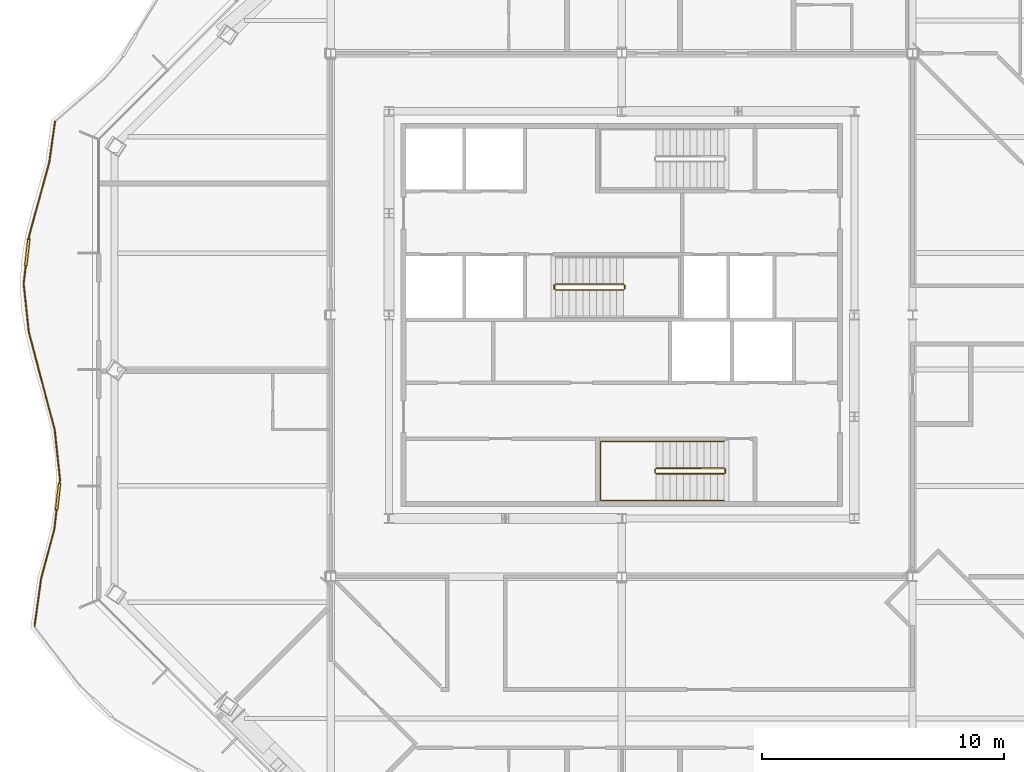
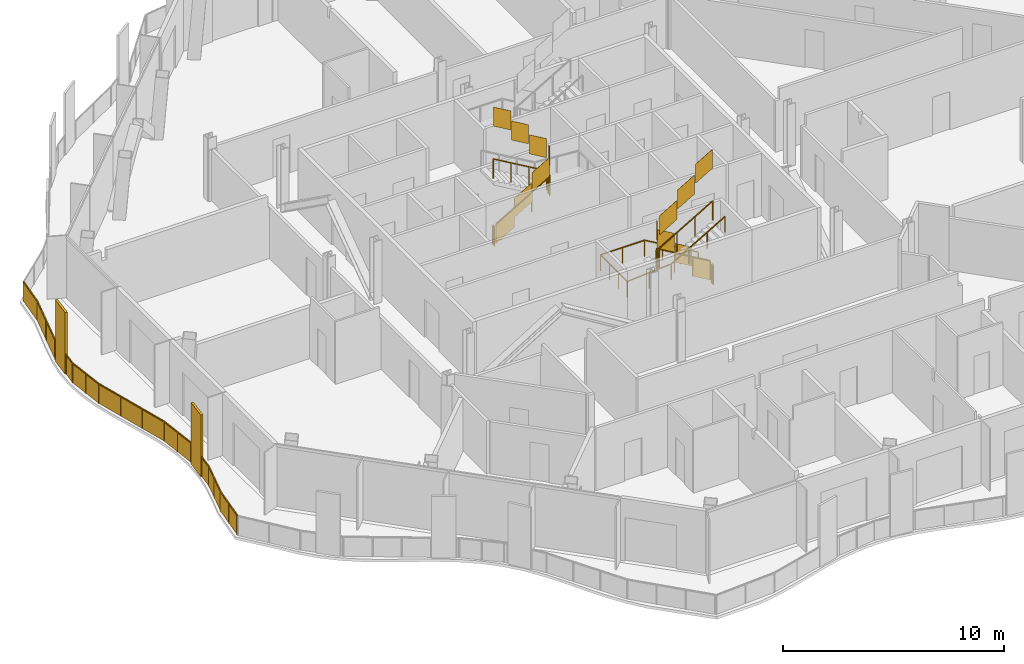
# One storey, part 16 of 19: 6 railings.
"""IFC4 building model written with IfcOpenShell, lengths in metres."""

from ifc_helpers import new_model, si_unit, direction, frame, origin, origin_2d, place, context, subcontext, project, spatial, polyline, rectangle, outline, extrude, material, type_object, element, save


model = new_model("IFC4")

# Units and contexts
model_context = context("Model", 3, precision=1e-05, world=origin(), true_north=direction((0.0, 1.0)))
body_context = subcontext(model_context, "Body", "Model", "MODEL_VIEW")
ifc_project = project(units=[si_unit("LENGTHUNIT", "METRE"), si_unit("AREAUNIT", "SQUARE_METRE"), si_unit("VOLUMEUNIT", "CUBIC_METRE"), si_unit("PLANEANGLEUNIT", "RADIAN"), si_unit("MASSUNIT", "GRAM", prefix="KILO")], contexts=[model_context])

# Site, building, storey
site_placement = place(None, origin())
site = spatial("IfcSite", under=ifc_project, at=site_placement, CompositionType="ELEMENT")
building_placement = place(site_placement, origin())
building = spatial("IfcBuilding", under=site, at=building_placement, Name="Cairn Pilgrim Tower", CompositionType="ELEMENT")
storey_placement = place(building_placement, frame((0.0, 0.0, 197.39990234375)))
storey = spatial("IfcBuildingStorey", under=building, at=storey_placement, Name="L50", CompositionType="ELEMENT", Elevation=197.39990234375)

# Railings
ifc_material_1 = material(Name="Bronze anodised aluminium rail, posts and fin screens with laminated glass infill", Category="aluminium")
railing_type_1 = type_object("IfcRailingType", Name="BALCONY GUARD WITH FIN SCREENS", PredefinedType="GUARDRAIL", material=ifc_material_1)
railing_1_placement = place(storey_placement, frame((-16.182373046875, 10.376953125, 0.0)))
element("IfcRailing", 1, at=railing_1_placement, inside=storey, type_object=railing_type_1, Name="Balcony guard BGF-7 with fin screens", PredefinedType="GUARDRAIL", context=body_context, shape_type="SweptSolid", body=[
    extrude(rectangle(XDim=0.050048828125, YDim=0.050048828125, at=origin_2d()), frame((0.0, 0.0, 1.0751953125), z_axis=(-0.138172880058, -0.990408125581, 0.0), x_axis=(0.990408125581, -0.138172880058, 0.0)), (0.0, 0.0, 1.0), 1.683837890625),
    extrude(rectangle(XDim=0.050048828125, YDim=0.050048828125, at=origin_2d()), frame((-0.232666015625, -1.667724609375, 1.0751953125), z_axis=(-0.263945951233, -0.964537471967, 0.0), x_axis=(0.964537471967, -0.263945951233, 0.0)), (0.0, 0.0, 1.0), 3.14111328125),
    extrude(rectangle(XDim=1.10009765625, YDim=0.110107421875, at=origin_2d()), frame((-1.141845703125, -5.39306640625, 0.0), z_axis=(0.0, 0.0, 1.0), x_axis=(-0.114504022567, -0.993422784526, 0.0)), (0.0, 0.0, 1.0), 3.39990234375),
    extrude(rectangle(XDim=0.050048828125, YDim=0.050048828125, at=origin_2d()), frame((-1.061767578125, -4.697509765625, 1.0751953125), z_axis=(-0.114504022567, -0.993422784526, 0.0), x_axis=(0.993422784526, -0.114504022567, 0.0)), (0.0, 0.0, 1.0), 0.150146484375),
    extrude(rectangle(XDim=0.050048828125, YDim=0.050048828125, at=origin_2d()), frame((-1.204833984375, -5.939453125, 1.0751953125), z_axis=(-0.114504022567, -0.993422784526, 0.0), x_axis=(0.993422784526, -0.114504022567, 0.0)), (0.0, 0.0, 1.0), 0.75634765625),
    extrude(rectangle(XDim=0.050048828125, YDim=0.050048828125, at=origin_2d()), frame((-1.29150390625, -6.690673828125, 1.0751953125), z_axis=(0.105724553407, -0.994395453935, 0.0), x_axis=(0.994395453935, 0.105724553407, 0.0)), (0.0, 0.0, 1.0), 2.00439453125),
    extrude(rectangle(XDim=0.050048828125, YDim=0.050048828125, at=origin_2d()), frame((-1.07958984375, -8.683837890625, 1.0751953125), z_axis=(0.255743304521, -0.966744724419, 0.0), x_axis=(0.966744724419, 0.255743304521, 0.0)), (0.0, 0.0, 1.0), 4.181396484375),
    extrude(rectangle(XDim=0.050048828125, YDim=0.050048828125, at=origin_2d()), frame((-0.01025390625, -12.72607421875, 1.0751953125), z_axis=(0.106047798469, -0.994361033247, 0.0), x_axis=(0.994361033247, 0.106047798469, 0.0)), (0.0, 0.0, 1.0), 2.060546875),
    extrude(rectangle(XDim=1.10009765625, YDim=0.110107421875, at=origin_2d()), frame((0.128173828125, -15.47021484375, 0.0), z_axis=(0.0, 0.0, 1.0), x_axis=(-0.114484802137, -0.993424999725, 0.0)), (0.0, 0.0, 1.0), 3.39990234375),
    extrude(rectangle(XDim=0.050048828125, YDim=0.050048828125, at=origin_2d()), frame((0.208251953125, -14.77490234375, 1.0751953125), z_axis=(-0.114484802137, -0.993424999725, 0.0), x_axis=(0.993424999725, -0.114484802137, 0.0)), (0.0, 0.0, 1.0), 0.14990234375),
    extrude(rectangle(XDim=0.050048828125, YDim=0.050048828125, at=origin_2d()), frame((0.065185546875, -16.0166015625, 1.0751953125), z_axis=(-0.114484802137, -0.993424999725, 0.0), x_axis=(0.993424999725, -0.114484802137, 0.0)), (0.0, 0.0, 1.0), 0.812255859375),
    extrude(rectangle(XDim=0.050048828125, YDim=0.050048828125, at=origin_2d()), frame((-0.02783203125, -16.823486328125, 1.0751953125), z_axis=(-0.25882349852, -0.965924632989, 0.0), x_axis=(0.965924632989, -0.25882349852, 0.0)), (0.0, 0.0, 1.0), 2.093994140625),
    extrude(rectangle(XDim=0.050048828125, YDim=0.050048828125, at=origin_2d()), frame((-0.56982421875, -18.84619140625, 1.0751953125), z_axis=(-0.13767022938, -0.99047812088, 0.0), x_axis=(0.99047812088, -0.13767022938, 0.0)), (0.0, 0.0, 1.0), 1.95947265625),
    extrude(rectangle(XDim=0.050048828125, YDim=0.050048828125, at=origin_2d()), origin(), (0.0, 0.0, 1.0), 1.050048828125),
    extrude(rectangle(XDim=0.050048828125, YDim=0.050048828125, at=origin_2d()), frame((-0.232666015625, -1.667724609375, 0.0)), (0.0, 0.0, 1.0), 1.050048828125),
    extrude(rectangle(XDim=0.050048828125, YDim=0.050048828125, at=origin_2d()), frame((-0.647216796875, -3.1826171875, 0.0)), (0.0, 0.0, 1.0), 1.050048828125),
    extrude(rectangle(XDim=0.050048828125, YDim=0.050048828125, at=origin_2d()), frame((-1.061767578125, -4.697509765625, 0.0)), (0.0, 0.0, 1.0), 1.050048828125),
    extrude(rectangle(XDim=0.050048828125, YDim=0.050048828125, at=origin_2d()), frame((-1.076171875, -4.82177734375, 0.0)), (0.0, 0.0, 1.0), 1.050048828125),
    extrude(rectangle(XDim=0.050048828125, YDim=0.050048828125, at=origin_2d()), frame((-1.207763671875, -5.964111328125, 0.0)), (0.0, 0.0, 1.0), 1.050048828125),
    extrude(rectangle(XDim=0.050048828125, YDim=0.050048828125, at=origin_2d()), frame((-1.29150390625, -6.690673828125, 0.0)), (0.0, 0.0, 1.0), 1.050048828125),
    extrude(rectangle(XDim=0.050048828125, YDim=0.050048828125, at=origin_2d()), frame((-1.185546875, -7.687255859375, 0.0)), (0.0, 0.0, 1.0), 1.050048828125),
    extrude(rectangle(XDim=0.050048828125, YDim=0.050048828125, at=origin_2d()), frame((-1.07958984375, -8.683837890625, 0.0)), (0.0, 0.0, 1.0), 1.050048828125),
    extrude(rectangle(XDim=0.050048828125, YDim=0.050048828125, at=origin_2d()), frame((-0.72314453125, -10.03125, 0.0)), (0.0, 0.0, 1.0), 1.050048828125),
    extrude(rectangle(XDim=0.050048828125, YDim=0.050048828125, at=origin_2d()), frame((-0.36669921875, -11.378662109375, 0.0)), (0.0, 0.0, 1.0), 1.050048828125),
    extrude(rectangle(XDim=0.050048828125, YDim=0.050048828125, at=origin_2d()), frame((-0.01025390625, -12.72607421875, 0.0)), (0.0, 0.0, 1.0), 1.050048828125),
    extrude(rectangle(XDim=0.050048828125, YDim=0.050048828125, at=origin_2d()), frame((0.09912109375, -13.75048828125, 0.0)), (0.0, 0.0, 1.0), 1.050048828125),
    extrude(rectangle(XDim=0.050048828125, YDim=0.050048828125, at=origin_2d()), frame((0.208251953125, -14.77490234375, 0.0)), (0.0, 0.0, 1.0), 1.050048828125),
    extrude(rectangle(XDim=0.050048828125, YDim=0.050048828125, at=origin_2d()), frame((0.19384765625, -14.89892578125, 0.0)), (0.0, 0.0, 1.0), 1.050048828125),
    extrude(rectangle(XDim=0.050048828125, YDim=0.050048828125, at=origin_2d()), frame((0.062255859375, -16.04150390625, 0.0)), (0.0, 0.0, 1.0), 1.050048828125),
    extrude(rectangle(XDim=0.050048828125, YDim=0.050048828125, at=origin_2d()), frame((-0.02783203125, -16.823486328125, 0.0)), (0.0, 0.0, 1.0), 1.050048828125),
    extrude(rectangle(XDim=0.050048828125, YDim=0.050048828125, at=origin_2d()), frame((-0.298828125, -17.8349609375, 0.0)), (0.0, 0.0, 1.0), 1.050048828125),
    extrude(rectangle(XDim=0.050048828125, YDim=0.050048828125, at=origin_2d()), frame((-0.56982421875, -18.84619140625, 0.0)), (0.0, 0.0, 1.0), 1.050048828125),
    extrude(rectangle(XDim=0.050048828125, YDim=0.050048828125, at=origin_2d()), frame((-0.70458984375, -19.816650390625, 0.0)), (0.0, 0.0, 1.0), 1.050048828125),
    extrude(rectangle(XDim=0.050048828125, YDim=0.050048828125, at=origin_2d()), frame((-0.839599609375, -20.787109375, 0.0)), (0.0, 0.0, 1.0), 1.050048828125),
    extrude(outline(polyline([(0.02490234375, 0.0), (1.658935546875, 0.0), (1.658935546875, 1.050048828125), (0.02490234375, 1.050048828125), (0.02490234375, 0.0)])), frame((0.005859375, -0.000732421875, 0.0), z_axis=(-0.990408125581, 0.138172880058, 0.0), x_axis=(-0.138172880058, -0.990408125581, 0.0)), (0.0, 0.0, 1.0), 0.011962890625),
    extrude(outline(polyline([(0.02490234375, 0.0), (1.545654296875, 0.0), (1.545654296875, 1.050048828125), (0.02490234375, 1.050048828125), (0.02490234375, 0.0)])), frame((-0.226806640625, -1.669189453125, 0.0), z_axis=(-0.964537471967, 0.263945951233, 0.0), x_axis=(-0.263945951233, -0.964537471967, 0.0)), (0.0, 0.0, 1.0), 0.011962890625),
    extrude(outline(polyline([(0.02490234375, 0.0), (1.545654296875, 0.0), (1.545654296875, 1.050048828125), (0.02490234375, 1.050048828125), (0.02490234375, 0.0)])), frame((-0.641357421875, -3.18408203125, 0.0), z_axis=(-0.964537471967, 0.263945951233, 0.0), x_axis=(-0.263945951233, -0.964537471967, 0.0)), (0.0, 0.0, 1.0), 0.011962890625),
    extrude(outline(polyline([(0.02490234375, 0.0), (0.10009765625, 0.0), (0.10009765625, 1.050048828125), (0.02490234375, 1.050048828125), (0.02490234375, 0.0)])), frame((-1.055908203125, -4.6982421875, 0.0), z_axis=(-0.993422784526, 0.114504022567, 0.0), x_axis=(-0.114504022567, -0.993422784526, 0.0)), (0.0, 0.0, 1.0), 0.011962890625),
    extrude(outline(polyline([(0.02490234375, 0.0), (0.706298828125, 0.0), (0.706298828125, 1.050048828125), (0.02490234375, 1.050048828125), (0.02490234375, 0.0)])), frame((-1.201904296875, -5.96484375, 0.0), z_axis=(-0.993422784526, 0.114504022567, 0.0), x_axis=(-0.114504022567, -0.993422784526, 0.0)), (0.0, 0.0, 1.0), 0.011962890625),
    extrude(outline(polyline([(0.02490234375, 0.0), (0.977294921875, 0.0), (0.977294921875, 1.050048828125), (0.02490234375, 1.050048828125), (0.02490234375, 0.0)])), frame((-1.28564453125, -6.68994140625, 0.0), z_axis=(-0.994395453935, -0.105724553407, 0.0), x_axis=(0.105724553407, -0.994395453935, 0.0)), (0.0, 0.0, 1.0), 0.011962890625),
    extrude(outline(polyline([(0.02490234375, 0.0), (0.977294921875, 0.0), (0.977294921875, 1.050048828125), (0.02490234375, 1.050048828125), (0.02490234375, 0.0)])), frame((-1.1796875, -7.6865234375, 0.0), z_axis=(-0.994395453935, -0.105724553407, 0.0), x_axis=(0.105724553407, -0.994395453935, 0.0)), (0.0, 0.0, 1.0), 0.011962890625),
    extrude(outline(polyline([(0.02490234375, 0.0), (1.36865234375, 0.0), (1.36865234375, 1.050048828125), (0.02490234375, 1.050048828125), (0.02490234375, 0.0)])), frame((-1.07373046875, -8.682373046875, 0.0), z_axis=(-0.966744724419, -0.255743304521, 0.0), x_axis=(0.255743304521, -0.966744724419, 0.0)), (0.0, 0.0, 1.0), 0.011962890625),
    extrude(outline(polyline([(0.02490234375, 0.0), (1.36865234375, 0.0), (1.36865234375, 1.050048828125), (0.02490234375, 1.050048828125), (0.02490234375, 0.0)])), frame((-0.71728515625, -10.02978515625, 0.0), z_axis=(-0.966744724419, -0.255743304521, 0.0), x_axis=(0.255743304521, -0.966744724419, 0.0)), (0.0, 0.0, 1.0), 0.011962890625),
    extrude(outline(polyline([(0.02490234375, 0.0), (1.36865234375, 0.0), (1.36865234375, 1.050048828125), (0.02490234375, 1.050048828125), (0.02490234375, 0.0)])), frame((-0.36083984375, -11.377197265625, 0.0), z_axis=(-0.966744724419, -0.255743304521, 0.0), x_axis=(0.255743304521, -0.966744724419, 0.0)), (0.0, 0.0, 1.0), 0.011962890625),
    extrude(outline(polyline([(0.02490234375, 0.0), (1.005126953125, 0.0), (1.005126953125, 1.050048828125), (0.02490234375, 1.050048828125), (0.02490234375, 0.0)])), frame((-0.00439453125, -12.725341796875, 0.0), z_axis=(-0.994361033247, -0.106047798469, 0.0), x_axis=(0.106047798469, -0.994361033247, 0.0)), (0.0, 0.0, 1.0), 0.011962890625),
    extrude(outline(polyline([(0.02490234375, 0.0), (1.005126953125, 0.0), (1.005126953125, 1.050048828125), (0.02490234375, 1.050048828125), (0.02490234375, 0.0)])), frame((0.10498046875, -13.749755859375, 0.0), z_axis=(-0.994361033247, -0.106047798469, 0.0), x_axis=(0.106047798469, -0.994361033247, 0.0)), (0.0, 0.0, 1.0), 0.011962890625),
    extrude(outline(polyline([(0.02490234375, 0.0), (0.099853515625, 0.0), (0.099853515625, 1.050048828125), (0.02490234375, 1.050048828125), (0.02490234375, 0.0)])), frame((0.214111328125, -14.775634765625, 0.0), z_axis=(-0.993424999725, 0.114484802137, 0.0), x_axis=(-0.114484802137, -0.993424999725, 0.0)), (0.0, 0.0, 1.0), 0.011962890625),
    extrude(outline(polyline([(0.02490234375, 0.0), (0.76220703125, 0.0), (0.76220703125, 1.050048828125), (0.02490234375, 1.050048828125), (0.02490234375, 0.0)])), frame((0.068115234375, -16.042236328125, 0.0), z_axis=(-0.993424999725, 0.114484802137, 0.0), x_axis=(-0.114484802137, -0.993424999725, 0.0)), (0.0, 0.0, 1.0), 0.011962890625),
    extrude(outline(polyline([(0.02490234375, 0.0), (1.02197265625, 0.0), (1.02197265625, 1.050048828125), (0.02490234375, 1.050048828125), (0.02490234375, 0.0)])), frame((-0.02197265625, -16.824951171875, 0.0), z_axis=(-0.965924632989, 0.25882349852, 0.0), x_axis=(-0.25882349852, -0.965924632989, 0.0)), (0.0, 0.0, 1.0), 0.011962890625),
    extrude(outline(polyline([(0.02490234375, 0.0), (1.02197265625, 0.0), (1.02197265625, 1.050048828125), (0.02490234375, 1.050048828125), (0.02490234375, 0.0)])), frame((-0.29296875, -17.83642578125, 0.0), z_axis=(-0.965924632989, 0.25882349852, 0.0), x_axis=(-0.25882349852, -0.965924632989, 0.0)), (0.0, 0.0, 1.0), 0.011962890625),
    extrude(outline(polyline([(0.02490234375, 0.0), (0.954833984375, 0.0), (0.954833984375, 1.050048828125), (0.02490234375, 1.050048828125), (0.02490234375, 0.0)])), frame((-0.56396484375, -18.846923828125, 0.0), z_axis=(-0.99047812088, 0.13767022938, 0.0), x_axis=(-0.13767022938, -0.99047812088, 0.0)), (0.0, 0.0, 1.0), 0.011962890625),
    extrude(outline(polyline([(0.02490234375, 0.0), (0.954833984375, 0.0), (0.954833984375, 1.050048828125), (0.02490234375, 1.050048828125), (0.02490234375, 0.0)])), frame((-0.69873046875, -19.8173828125, 0.0), z_axis=(-0.99047812088, 0.13767022938, 0.0), x_axis=(-0.13767022938, -0.99047812088, 0.0)), (0.0, 0.0, 1.0), 0.011962890625),
])
ifc_material_2 = material(Name="Painted steel", Category="steel")
railing_type_2 = type_object("IfcRailingType", Name="STAIR GUARD 1100", PredefinedType="GUARDRAIL", material=ifc_material_2)
railing_2_placement = place(storey_placement, frame((11.425048828125, -3.925048828125, 0.163818359375)))
element("IfcRailing", 2, at=railing_2_placement, inside=storey, type_object=railing_type_2, Name="L50 ST-A stair guard 1", PredefinedType="GUARDRAIL", context=body_context, shape_type="SweptSolid", body=[
    extrude(rectangle(XDim=0.048095703125, YDim=0.048095703125, at=origin_2d()), frame((0.0, 0.0, 1.076171875), z_axis=(-0.863393664356, 0.0, 0.504530851732), x_axis=(0.0, -1.0, 0.0)), (0.0, 0.0, 1.0), 3.2431640625),
    extrude(rectangle(XDim=0.048095703125, YDim=0.048095703125, at=origin_2d()), frame((-2.800048828125, 0.0, 2.71240234375), z_axis=(-0.707106781187, -0.707106781187, 0.0), x_axis=(0.707106781187, -0.707106781187, 0.0)), (0.0, 0.0, 1.0), 0.07080078125),
    extrude(rectangle(XDim=0.048095703125, YDim=0.048095703125, at=origin_2d()), frame((-2.85009765625, -0.050048828125, 2.71240234375), z_axis=(0.0, -1.0, 0.0), x_axis=(1.0, 0.0, 0.0)), (0.0, 0.0, 1.0), 0.125),
    extrude(rectangle(XDim=0.048095703125, YDim=0.048095703125, at=origin_2d()), frame((-2.85009765625, -0.175048828125, 2.71240234375), z_axis=(0.280916556609, -0.279546231943, 0.91811752648), x_axis=(0.705375805398, 0.708833529934, 0.0)), (0.0, 0.0, 1.0), 0.17822265625),
    extrude(rectangle(XDim=0.048095703125, YDim=0.048095703125, at=origin_2d()), frame((-2.800048828125, -0.224853515625, 2.8759765625), z_axis=(0.863360870873, 0.0, 0.504586966384), x_axis=(0.0, 1.0, 0.0)), (0.0, 0.0, 1.0), 3.2431640625),
    extrude(rectangle(XDim=0.0419921875, YDim=0.0419921875, at=origin_2d()), origin(), (0.0, 0.0, 1.0), 1.052001953125),
    extrude(rectangle(XDim=0.0419921875, YDim=0.0419921875, at=origin_2d()), frame((-0.933349609375, 0.0, 0.54541015625)), (0.0, 0.0, 1.0), 1.052001953125),
    extrude(rectangle(XDim=0.0419921875, YDim=0.0419921875, at=origin_2d()), frame((-1.86669921875, 0.0, 1.0908203125)), (0.0, 0.0, 1.0), 1.052001953125),
    extrude(rectangle(XDim=0.0419921875, YDim=0.0419921875, at=origin_2d()), frame((-2.800048828125, 0.0, 1.63623046875)), (0.0, 0.0, 1.0), 1.052001953125),
    extrude(rectangle(XDim=0.0419921875, YDim=0.0419921875, at=origin_2d()), frame((-2.85009765625, -0.050048828125, 1.63623046875)), (0.0, 0.0, 1.0), 1.052001953125),
    extrude(rectangle(XDim=0.0419921875, YDim=0.0419921875, at=origin_2d()), frame((-2.85009765625, -0.175048828125, 1.63623046875)), (0.0, 0.0, 1.0), 1.052001953125),
    extrude(rectangle(XDim=0.0419921875, YDim=0.0419921875, at=origin_2d()), frame((-2.800048828125, -0.224853515625, 1.7998046875)), (0.0, 0.0, 1.0), 1.052001953125),
    extrude(rectangle(XDim=0.0419921875, YDim=0.0419921875, at=origin_2d()), frame((-1.86669921875, -0.224853515625, 2.34521484375)), (0.0, 0.0, 1.0), 1.052001953125),
    extrude(rectangle(XDim=0.0419921875, YDim=0.0419921875, at=origin_2d()), frame((-0.933349609375, -0.224853515625, 2.890869140625)), (0.0, 0.0, 1.0), 1.052001953125),
    extrude(rectangle(XDim=0.0419921875, YDim=0.0419921875, at=origin_2d()), frame((0.0, -0.224853515625, 3.436279296875)), (0.0, 0.0, 1.0), 1.052001953125),
    extrude(outline(polyline([(0.02099609375, 0.01220703125), (0.912353515625, 0.533203125), (0.912353515625, 1.585205078125), (0.02099609375, 1.064208984375), (0.02099609375, 0.01220703125)])), frame((0.0, -0.005859375, 0.0), z_axis=(0.0, 1.0, 0.0), x_axis=(-1.0, 0.0, 0.0)), (0.0, 0.0, 1.0), 0.011962890625),
    extrude(outline(polyline([(0.02099609375, 0.5576171875), (0.912353515625, 1.07861328125), (0.912353515625, 2.130615234375), (0.02099609375, 1.609619140625), (0.02099609375, 0.5576171875)])), frame((-0.933349609375, -0.005859375, 0.54541015625), z_axis=(0.0, 1.0, 0.0), x_axis=(-1.0, 0.0, 0.0)), (0.0, 0.0, 1.0), 0.011962890625),
    extrude(outline(polyline([(0.02099609375, 1.10302734375), (0.912353515625, 1.6240234375), (0.912353515625, 2.676025390625), (0.02099609375, 2.155029296875), (0.02099609375, 1.10302734375)])), frame((-1.86669921875, -0.005859375, 1.0908203125), z_axis=(0.0, 1.0, 0.0), x_axis=(-1.0, 0.0, 0.0)), (0.0, 0.0, 1.0), 0.011962890625),
    extrude(outline(polyline([(0.02099609375, 1.63623046875), (0.10400390625, 1.63623046875), (0.10400390625, 2.688232421875), (0.02099609375, 2.688232421875), (0.02099609375, 1.63623046875)])), frame((-2.84423828125, -0.050048828125, 1.63623046875), z_axis=(-1.0, 0.0, 0.0), x_axis=(0.0, -1.0, 0.0)), (0.0, 0.0, 1.0), 0.011962890625),
    extrude(outline(polyline([(0.02099609375, 1.81201171875), (0.912353515625, 2.3330078125), (0.912353515625, 3.385009765625), (0.02099609375, 2.864013671875), (0.02099609375, 1.81201171875)])), frame((-2.800048828125, -0.21875, 1.7998046875), z_axis=(0.0, -1.0, 0.0), x_axis=(1.0, 0.0, 0.0)), (0.0, 0.0, 1.0), 0.011962890625),
    extrude(outline(polyline([(0.02099609375, 2.357666015625), (0.912353515625, 2.87841796875), (0.912353515625, 3.930419921875), (0.02099609375, 3.40966796875), (0.02099609375, 2.357666015625)])), frame((-1.86669921875, -0.21875, 2.34521484375), z_axis=(0.0, -1.0, 0.0), x_axis=(1.0, 0.0, 0.0)), (0.0, 0.0, 1.0), 0.011962890625),
    extrude(outline(polyline([(0.02099609375, 2.903076171875), (0.912353515625, 3.424072265625), (0.912353515625, 4.47607421875), (0.02099609375, 3.955078125), (0.02099609375, 2.903076171875)])), frame((-0.933349609375, -0.21875, 2.890869140625), z_axis=(0.0, -1.0, 0.0), x_axis=(1.0, 0.0, 0.0)), (0.0, 0.0, 1.0), 0.011962890625),
])
railing_3_placement = place(storey_placement, frame((11.47509765625, -3.97509765625, 0.0)))
element("IfcRailing", 3, at=railing_3_placement, inside=storey, type_object=railing_type_2, Name="L50 ST-A stair guard 2", PredefinedType="GUARDRAIL", context=body_context, shape_type="SweptSolid", body=[
    extrude(rectangle(XDim=0.048095703125, YDim=0.048095703125, at=origin_2d()), frame((0.0, 0.0, 1.076171875), z_axis=(0.0, -1.0, 0.0), x_axis=(1.0, 0.0, 0.0)), (0.0, 0.0, 1.0), 0.125),
    extrude(rectangle(XDim=0.0419921875, YDim=0.0419921875, at=origin_2d()), origin(), (0.0, 0.0, 1.0), 1.052001953125),
    extrude(rectangle(XDim=0.0419921875, YDim=0.0419921875, at=origin_2d()), frame((0.0, -0.125, 0.0)), (0.0, 0.0, 1.0), 1.052001953125),
    extrude(outline(polyline([(0.02099609375, 0.0), (0.10400390625, 0.0), (0.10400390625, 1.052001953125), (0.02099609375, 1.052001953125), (0.02099609375, 0.0)])), frame((0.005859375, 0.0, 0.0), z_axis=(-1.0, 0.0, 0.0), x_axis=(0.0, -1.0, 0.0)), (0.0, 0.0, 1.0), 0.011962890625),
])
railing_4_placement = place(storey_placement, frame((4.47509765625, 3.425048828125, 0.163818359375)))
element("IfcRailing", 4, at=railing_4_placement, inside=storey, type_object=railing_type_2, Name="L50 ST-B stair guard 1", PredefinedType="GUARDRAIL", context=body_context, shape_type="SweptSolid", body=[
    extrude(rectangle(XDim=0.048095703125, YDim=0.048095703125, at=origin_2d()), frame((0.0, 0.0, 1.076171875), z_axis=(0.863374499697, 0.0, 0.504563646405), x_axis=(0.0, 1.0, 0.0)), (0.0, 0.0, 1.0), 3.242919921875),
    extrude(rectangle(XDim=0.048095703125, YDim=0.048095703125, at=origin_2d()), frame((2.7998046875, 0.0, 2.71240234375), z_axis=(0.707106781187, 0.707106781187, 0.0), x_axis=(-0.707106781187, 0.707106781187, 0.0)), (0.0, 0.0, 1.0), 0.07080078125),
    extrude(rectangle(XDim=0.048095703125, YDim=0.048095703125, at=origin_2d()), frame((2.849853515625, 0.050048828125, 2.71240234375), z_axis=(0.0, 1.0, 0.0), x_axis=(-1.0, 0.0, 0.0)), (0.0, 0.0, 1.0), 0.14990234375),
    extrude(rectangle(XDim=0.048095703125, YDim=0.048095703125, at=origin_2d()), frame((2.849853515625, 0.199951171875, 2.71240234375), z_axis=(-0.280808744504, 0.280808744504, 0.917765164963), x_axis=(-0.707106781187, -0.707106781187, 0.0)), (0.0, 0.0, 1.0), 0.17822265625),
    extrude(rectangle(XDim=0.048095703125, YDim=0.048095703125, at=origin_2d()), frame((2.7998046875, 0.25, 2.8759765625), z_axis=(-0.863341702679, 0.0, 0.504619762213), x_axis=(0.0, -1.0, 0.0)), (0.0, 0.0, 1.0), 3.242919921875),
    extrude(rectangle(XDim=0.0419921875, YDim=0.0419921875, at=origin_2d()), origin(), (0.0, 0.0, 1.0), 1.052001953125),
    extrude(rectangle(XDim=0.0419921875, YDim=0.0419921875, at=origin_2d()), frame((0.933349609375, 0.0, 0.54541015625)), (0.0, 0.0, 1.0), 1.052001953125),
    extrude(rectangle(XDim=0.0419921875, YDim=0.0419921875, at=origin_2d()), frame((1.866455078125, 0.0, 1.0908203125)), (0.0, 0.0, 1.0), 1.052001953125),
    extrude(rectangle(XDim=0.0419921875, YDim=0.0419921875, at=origin_2d()), frame((2.7998046875, 0.0, 1.63623046875)), (0.0, 0.0, 1.0), 1.052001953125),
    extrude(rectangle(XDim=0.0419921875, YDim=0.0419921875, at=origin_2d()), frame((2.849853515625, 0.050048828125, 1.63623046875)), (0.0, 0.0, 1.0), 1.052001953125),
    extrude(rectangle(XDim=0.0419921875, YDim=0.0419921875, at=origin_2d()), frame((2.849853515625, 0.199951171875, 1.63623046875)), (0.0, 0.0, 1.0), 1.052001953125),
    extrude(rectangle(XDim=0.0419921875, YDim=0.0419921875, at=origin_2d()), frame((2.7998046875, 0.25, 1.7998046875)), (0.0, 0.0, 1.0), 1.052001953125),
    extrude(rectangle(XDim=0.0419921875, YDim=0.0419921875, at=origin_2d()), frame((1.866455078125, 0.25, 2.34521484375)), (0.0, 0.0, 1.0), 1.052001953125),
    extrude(rectangle(XDim=0.0419921875, YDim=0.0419921875, at=origin_2d()), frame((0.933349609375, 0.25, 2.890869140625)), (0.0, 0.0, 1.0), 1.052001953125),
    extrude(rectangle(XDim=0.0419921875, YDim=0.0419921875, at=origin_2d()), frame((0.0, 0.25, 3.436279296875)), (0.0, 0.0, 1.0), 1.052001953125),
    extrude(outline(polyline([(0.02099609375, 0.01220703125), (0.912353515625, 0.533203125), (0.912353515625, 1.585205078125), (0.02099609375, 1.064208984375), (0.02099609375, 0.01220703125)])), frame((0.0, 0.005859375, 0.0), z_axis=(0.0, -1.0, 0.0), x_axis=(1.0, 0.0, 0.0)), (0.0, 0.0, 1.0), 0.011962890625),
    extrude(outline(polyline([(0.02099609375, 0.5576171875), (0.912353515625, 1.07861328125), (0.912353515625, 2.130615234375), (0.02099609375, 1.609619140625), (0.02099609375, 0.5576171875)])), frame((0.933349609375, 0.005859375, 0.54541015625), z_axis=(0.0, -1.0, 0.0), x_axis=(1.0, 0.0, 0.0)), (0.0, 0.0, 1.0), 0.011962890625),
    extrude(outline(polyline([(0.02099609375, 1.10302734375), (0.912353515625, 1.6240234375), (0.912353515625, 2.676025390625), (0.02099609375, 2.155029296875), (0.02099609375, 1.10302734375)])), frame((1.866455078125, 0.005859375, 1.0908203125), z_axis=(0.0, -1.0, 0.0), x_axis=(1.0, 0.0, 0.0)), (0.0, 0.0, 1.0), 0.011962890625),
    extrude(outline(polyline([(0.02099609375, 1.63623046875), (0.12890625, 1.63623046875), (0.12890625, 2.688232421875), (0.02099609375, 2.688232421875), (0.02099609375, 1.63623046875)])), frame((2.84375, 0.050048828125, 1.63623046875), z_axis=(1.0, 0.0, 0.0), x_axis=(0.0, 1.0, 0.0)), (0.0, 0.0, 1.0), 0.011962890625),
    extrude(outline(polyline([(0.02099609375, 1.81201171875), (0.912353515625, 2.3330078125), (0.912353515625, 3.385009765625), (0.02099609375, 2.864013671875), (0.02099609375, 1.81201171875)])), frame((2.7998046875, 0.244140625, 1.7998046875), z_axis=(0.0, 1.0, 0.0), x_axis=(-1.0, 0.0, 0.0)), (0.0, 0.0, 1.0), 0.011962890625),
    extrude(outline(polyline([(0.02099609375, 2.357666015625), (0.912353515625, 2.87841796875), (0.912353515625, 3.930419921875), (0.02099609375, 3.40966796875), (0.02099609375, 2.357666015625)])), frame((1.866455078125, 0.244140625, 2.34521484375), z_axis=(0.0, 1.0, 0.0), x_axis=(-1.0, 0.0, 0.0)), (0.0, 0.0, 1.0), 0.011962890625),
    extrude(outline(polyline([(0.02099609375, 2.903076171875), (0.912353515625, 3.424072265625), (0.912353515625, 4.47607421875), (0.02099609375, 3.955078125), (0.02099609375, 2.903076171875)])), frame((0.933349609375, 0.244140625, 2.890869140625), z_axis=(0.0, 1.0, 0.0), x_axis=(-1.0, 0.0, 0.0)), (0.0, 0.0, 1.0), 0.011962890625),
])
railing_5_placement = place(storey_placement, frame((4.425048828125, 3.47509765625, 0.0)))
element("IfcRailing", 5, at=railing_5_placement, inside=storey, type_object=railing_type_2, Name="L50 ST-B stair guard 2", PredefinedType="GUARDRAIL", context=body_context, shape_type="SweptSolid", body=[
    extrude(rectangle(XDim=0.048095703125, YDim=0.048095703125, at=origin_2d()), frame((0.0, 0.0, 1.076171875), z_axis=(0.0, 1.0, 0.0), x_axis=(-1.0, 0.0, 0.0)), (0.0, 0.0, 1.0), 0.14990234375),
    extrude(rectangle(XDim=0.0419921875, YDim=0.0419921875, at=origin_2d()), origin(), (0.0, 0.0, 1.0), 1.052001953125),
    extrude(rectangle(XDim=0.0419921875, YDim=0.0419921875, at=origin_2d()), frame((0.0, 0.14990234375, 0.0)), (0.0, 0.0, 1.0), 1.052001953125),
    extrude(outline(polyline([(0.02099609375, 0.0), (0.12890625, 0.0), (0.12890625, 1.052001953125), (0.02099609375, 1.052001953125), (0.02099609375, 0.0)])), frame((-0.005859375, 0.0, 0.0), z_axis=(1.0, 0.0, 0.0), x_axis=(0.0, 1.0, 0.0)), (0.0, 0.0, 1.0), 0.011962890625),
])
railing_type_3 = type_object("IfcRailingType", Name="STAIR HANDRAIL 900", PredefinedType="HANDRAIL", material=ifc_material_2)
railing_6_placement = place(storey_placement, frame((11.425048828125, -2.824951171875, 0.163818359375)))
element("IfcRailing", 6, at=railing_6_placement, inside=storey, type_object=railing_type_3, Name="L50 ST-A stair handrail 1", PredefinedType="HANDRAIL", context=body_context, shape_type="SweptSolid", body=[
    extrude(rectangle(XDim=0.048095703125, YDim=0.048095703125, at=origin_2d()), frame((0.0, 0.0, 0.8759765625), z_axis=(-0.863393664356, 0.0, 0.504530851732), x_axis=(0.0, -1.0, 0.0)), (0.0, 0.0, 1.0), 3.2431640625),
    extrude(rectangle(XDim=0.048095703125, YDim=0.048095703125, at=origin_2d()), frame((-2.800048828125, 0.0, 2.51220703125), z_axis=(-1.0, 0.0, 0.0), x_axis=(0.0, -1.0, 0.0)), (0.0, 0.0, 1.0), 2.300048828125),
    extrude(rectangle(XDim=0.048095703125, YDim=0.048095703125, at=origin_2d()), frame((-5.10009765625, 0.0, 2.51220703125), z_axis=(0.0, -1.0, 0.0), x_axis=(1.0, 0.0, 0.0)), (0.0, 0.0, 1.0), 2.425048828125),
    extrude(rectangle(XDim=0.048095703125, YDim=0.048095703125, at=origin_2d()), frame((-5.10009765625, -2.425048828125, 2.51220703125), z_axis=(0.997480687736, 0.0, 0.070938548008), x_axis=(0.0, 1.0, 0.0)), (0.0, 0.0, 1.0), 2.305908203125),
    extrude(rectangle(XDim=0.048095703125, YDim=0.048095703125, at=origin_2d()), frame((-2.800048828125, -2.425048828125, 2.67578125), z_axis=(0.863360870873, 0.0, 0.504586966384), x_axis=(0.0, 1.0, 0.0)), (0.0, 0.0, 1.0), 3.2431640625),
    extrude(rectangle(XDim=0.0419921875, YDim=0.0419921875, at=origin_2d()), origin(), (0.0, 0.0, 1.0), 0.851806640625),
    extrude(rectangle(XDim=0.0419921875, YDim=0.0419921875, at=origin_2d()), frame((-0.933349609375, 0.0, 0.54541015625)), (0.0, 0.0, 1.0), 0.851806640625),
    extrude(rectangle(XDim=0.0419921875, YDim=0.0419921875, at=origin_2d()), frame((-1.86669921875, 0.0, 1.0908203125)), (0.0, 0.0, 1.0), 0.851806640625),
    extrude(rectangle(XDim=0.0419921875, YDim=0.0419921875, at=origin_2d()), frame((-2.800048828125, 0.0, 1.63623046875)), (0.0, 0.0, 1.0), 0.851806640625),
    extrude(rectangle(XDim=0.0419921875, YDim=0.0419921875, at=origin_2d()), frame((-3.9501953125, 0.0, 1.63623046875)), (0.0, 0.0, 1.0), 0.851806640625),
    extrude(rectangle(XDim=0.0419921875, YDim=0.0419921875, at=origin_2d()), frame((-5.10009765625, 0.0, 1.63623046875)), (0.0, 0.0, 1.0), 0.851806640625),
    extrude(rectangle(XDim=0.0419921875, YDim=0.0419921875, at=origin_2d()), frame((-5.10009765625, -0.808349609375, 1.63623046875)), (0.0, 0.0, 1.0), 0.851806640625),
    extrude(rectangle(XDim=0.0419921875, YDim=0.0419921875, at=origin_2d()), frame((-5.10009765625, -1.61669921875, 1.63623046875)), (0.0, 0.0, 1.0), 0.851806640625),
    extrude(rectangle(XDim=0.0419921875, YDim=0.0419921875, at=origin_2d()), frame((-5.10009765625, -2.425048828125, 1.63623046875)), (0.0, 0.0, 1.0), 0.851806640625),
    extrude(rectangle(XDim=0.0419921875, YDim=0.0419921875, at=origin_2d()), frame((-3.9501953125, -2.425048828125, 1.718017578125)), (0.0, 0.0, 1.0), 0.851806640625),
    extrude(rectangle(XDim=0.0419921875, YDim=0.0419921875, at=origin_2d()), frame((-2.800048828125, -2.425048828125, 1.7998046875)), (0.0, 0.0, 1.0), 0.851806640625),
    extrude(rectangle(XDim=0.0419921875, YDim=0.0419921875, at=origin_2d()), frame((-1.86669921875, -2.425048828125, 2.34521484375)), (0.0, 0.0, 1.0), 0.851806640625),
    extrude(rectangle(XDim=0.0419921875, YDim=0.0419921875, at=origin_2d()), frame((-0.933349609375, -2.425048828125, 2.890869140625)), (0.0, 0.0, 1.0), 0.851806640625),
    extrude(rectangle(XDim=0.0419921875, YDim=0.0419921875, at=origin_2d()), frame((0.0, -2.425048828125, 3.436279296875)), (0.0, 0.0, 1.0), 0.851806640625),
])

save(model, "model.ifc")
